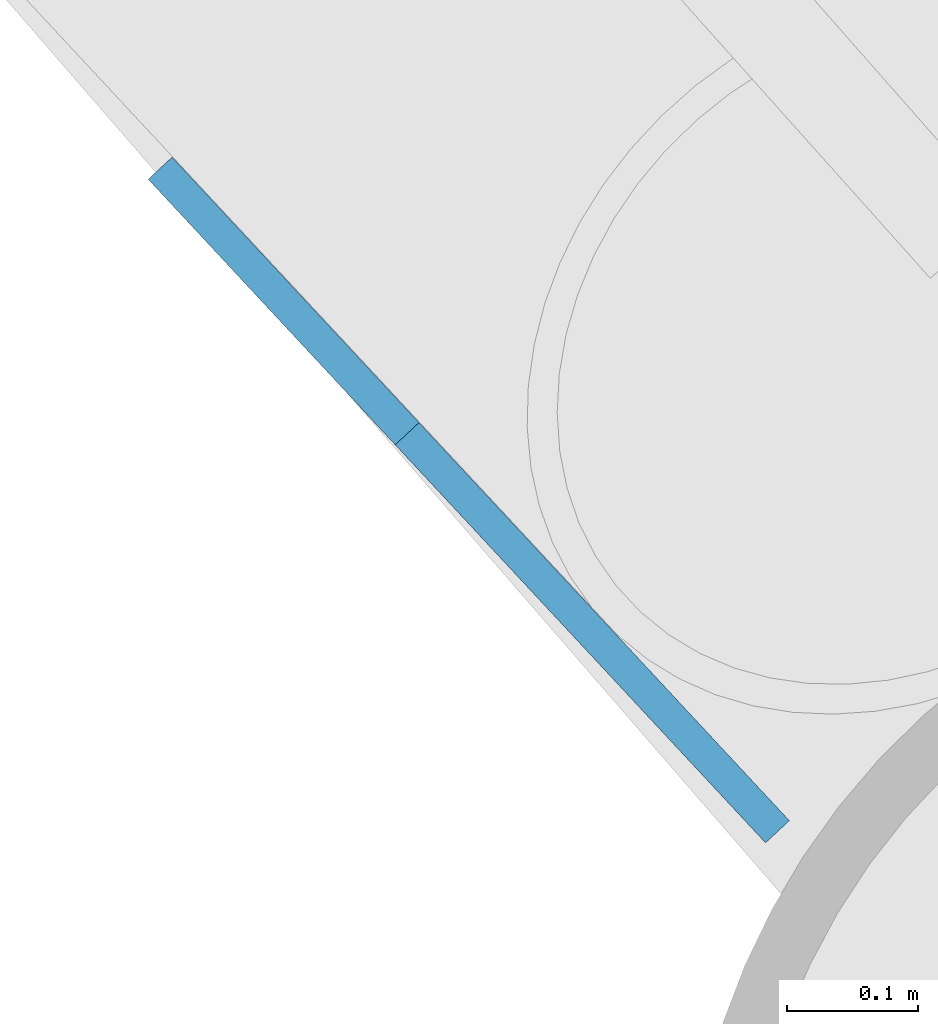
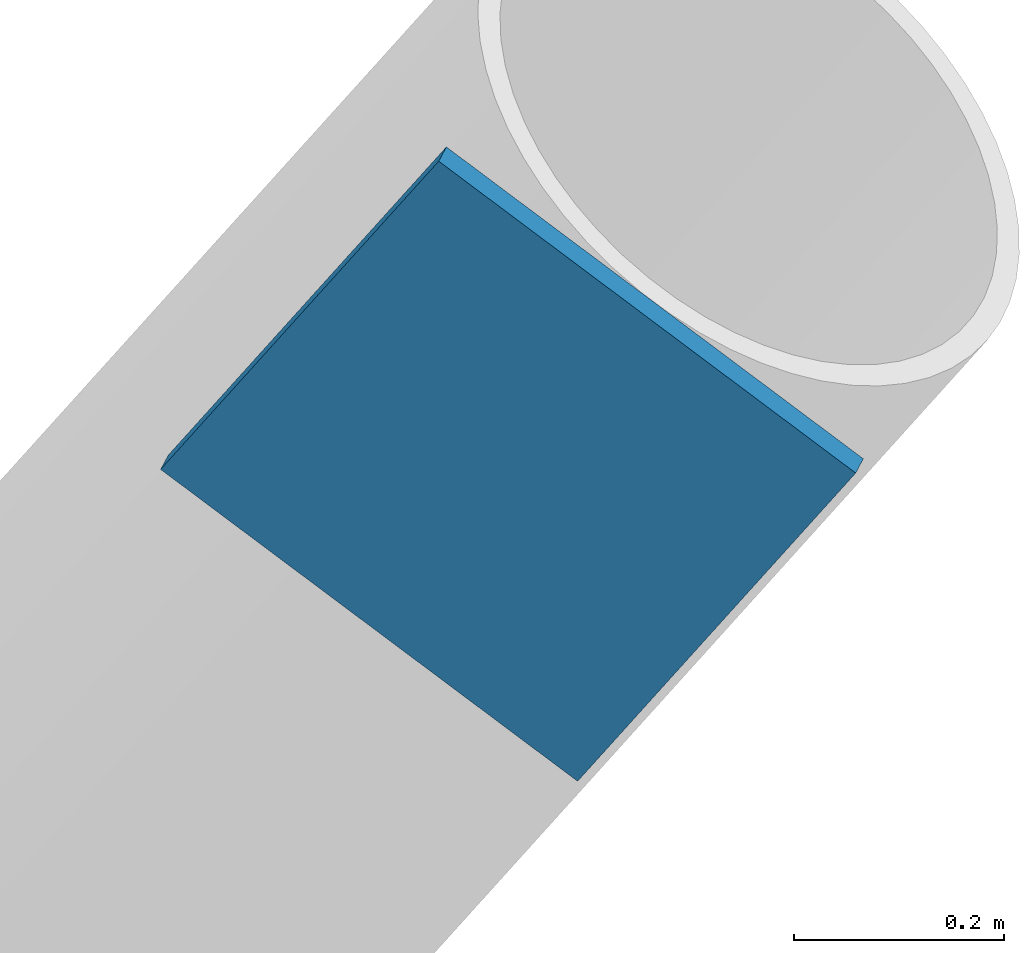
# One storey, part 14 of 22: 1 discrete accessory.
"""IFC4 building model written with IfcOpenShell, lengths in metres."""

import ifcopenshell
import ifcopenshell.guid

model = None  # the IFC model being written
_history = None  # IfcOwnerHistory: only IFC2X3 demands one
_inside = {}  # id of a spatial element -> (the spatial element, [elements in it])
_under = {}  # id of a project, library or spatial element -> (it, [spatial elements below it])
_declared = {}  # id of a project -> (the project, [libraries it declares])
_typed = {}  # id of a type object -> (the type object, [elements of that type])
_made_of = {}  # id of a material, layer set ... -> (it, [elements and type objects made of it])


def new_model(schema):
    """Start an empty IFC model of exactly this schema.

    Asked for "IFC4X3", IfcOpenShell would pick the latest addendum, in which some entities
    have other attributes; the version numbers below select the first issue.
    IFC2X3 requires an IfcOwnerHistory on every rooted entity: one is made here for all.
    """
    global model, _history
    if schema == "IFC4X3":
        model = ifcopenshell.file(schema_version=(4, 3, 0, 0))
    else:
        model = ifcopenshell.file(schema=schema)
    _inside.clear()
    _under.clear()
    _declared.clear()
    _typed.clear()
    _made_of.clear()
    _history = None
    if model.schema == "IFC2X3":
        org = make("IfcOrganization", Name="unknown")
        user = make(
            "IfcPersonAndOrganization",
            ThePerson=make("IfcPerson", FamilyName="unknown"),
            TheOrganization=org,
        )
        app = make(
            "IfcApplication",
            ApplicationDeveloper=org,
            Version="unknown",
            ApplicationFullName="unknown",
            ApplicationIdentifier="unknown",
        )
        _history = make(
            "IfcOwnerHistory",
            OwningUser=user,
            OwningApplication=app,
            ChangeAction="ADDED",
            CreationDate=0,
        )
    return model


def make(cls, **values):
    """One entity of the class cls with the attributes given. An attribute that is None is left unset."""
    return model.create_entity(
        cls, **{name: value for name, value in values.items() if value is not None}
    )


def rooted(cls, **values):
    """An entity with a GlobalId (a new one), such as an element, a storey or a relation."""
    return make(cls, GlobalId=ifcopenshell.guid.new(), OwnerHistory=_history, **values)


def si_unit(unit_type, name, prefix=None):
    """IfcSIUnit, for example si_unit("LENGTHUNIT", "METRE", prefix="MILLI")."""
    return make("IfcSIUnit", UnitType=unit_type, Prefix=prefix, Name=name)


def assignment(units):
    """IfcUnitAssignment: the units of a project."""
    return None if units is None else make("IfcUnitAssignment", Units=units)


def point(xyz):
    """IfcCartesianPoint."""
    return None if xyz is None else make("IfcCartesianPoint", Coordinates=xyz)


def direction(xyz):
    """IfcDirection."""
    return None if xyz is None else make("IfcDirection", DirectionRatios=xyz)


def frame(location, z_axis=None, x_axis=None):
    """IfcAxis2Placement3D, a coordinate frame: its origin and axes. An axis left out is left unset."""
    return make(
        "IfcAxis2Placement3D",
        Location=point(location),
        Axis=direction(z_axis),
        RefDirection=direction(x_axis),
    )


def frame_2d(location, x_axis=None):
    """IfcAxis2Placement2D, a coordinate frame in the plane: its origin and x axis."""
    return make(
        "IfcAxis2Placement2D", Location=point(location), RefDirection=direction(x_axis)
    )


def origin():
    """The frame at (0, 0, 0) with its axes left unset."""
    return frame((0.0, 0.0, 0.0))


def origin_2d():
    """The frame at (0, 0) in the plane with its x axis left unset."""
    return frame_2d((0.0, 0.0))


def place(relative_to, where):
    """IfcLocalPlacement: puts the frame where relative to a parent placement (None: the world)."""
    return make(
        "IfcLocalPlacement", PlacementRelTo=relative_to, RelativePlacement=where
    )


def context(
    kind, dimensions, precision=None, world=None, true_north=None, identifier=None
):
    """IfcGeometricRepresentationContext, for example the 3D "Model" context."""
    return make(
        "IfcGeometricRepresentationContext",
        ContextIdentifier=identifier,
        ContextType=kind,
        CoordinateSpaceDimension=dimensions,
        Precision=precision,
        WorldCoordinateSystem=world,
        TrueNorth=true_north,
    )


def subcontext(parent, identifier, kind, view, scale=None):
    """IfcGeometricRepresentationSubContext, for example "Body" below "Model"."""
    return make(
        "IfcGeometricRepresentationSubContext",
        ContextIdentifier=identifier,
        ContextType=kind,
        ParentContext=parent,
        TargetScale=scale,
        TargetView=view,
    )


def project(units=None, contexts=None):
    """IfcProject with its units and contexts."""
    return rooted(
        "IfcProject",
        Name="project",
        RepresentationContexts=contexts,
        UnitsInContext=assignment(units),
    )


def spatial(cls, under=None, at=None, **own):
    """A site, building, storey or space (cls), placed at a placement, below another one or the project."""
    s = rooted(cls, ObjectPlacement=at, **own)
    if under is not None:
        _under.setdefault(under.id(), (under, []))[1].append(s)
    return s


def profile(cls, at=None, kind="AREA", **sizes):
    """A parametric profile (cls). Its sizes go by their IFC names, for example OverallWidth=200.0."""
    return make(cls, ProfileType=kind, Position=at, **sizes)


def rectangle(**sizes):
    """IfcRectangleProfileDef."""
    return profile("IfcRectangleProfileDef", **sizes)


def extrude(swept, where, along, depth):
    """IfcExtrudedAreaSolid: the profile swept, set in the frame where, extruded along a direction by depth."""
    return make(
        "IfcExtrudedAreaSolid",
        SweptArea=swept,
        Position=where,
        ExtrudedDirection=direction(along),
        Depth=depth,
    )


def shape(context_of_items, identifier, shape_type, items):
    """IfcShapeRepresentation: the items that make up one representation, for example the "Body"."""
    return make(
        "IfcShapeRepresentation",
        ContextOfItems=context_of_items,
        RepresentationIdentifier=identifier,
        RepresentationType=shape_type,
        Items=items,
    )


def material(Name=None, Category=None):
    """IfcMaterial."""
    return make("IfcMaterial", Name=Name, Category=Category)


def material_profile(
    of_material, cross_section, Name=None, Category=None, Priority=None
):
    """IfcMaterialProfile: a cross section and its material."""
    return make(
        "IfcMaterialProfile",
        Name=Name,
        Material=of_material,
        Profile=cross_section,
        Priority=Priority,
        Category=Category,
    )


def profile_set(profiles, Name=None, composite=None):
    """IfcMaterialProfileSet."""
    return make(
        "IfcMaterialProfileSet",
        Name=Name,
        MaterialProfiles=profiles,
        CompositeProfile=composite,
    )


def made_of(thing, what):
    """Note that an element or type object is made of a material, layer set ...; save() writes the relation."""
    if what is not None:
        _made_of.setdefault(what.id(), (what, []))[1].append(thing)
    return thing


def type_object(cls, material=None, **own):
    """A type object (cls), such as IfcWallType, which elements share."""
    return made_of(rooted(cls, **own), material)


def element(
    cls,
    number,
    at=None,
    inside=None,
    cuts=None,
    type_object=None,
    material=None,
    context=None,
    identifier="Body",
    shape_type=None,
    held_by="IfcProductDefinitionShape",
    body=None,
    shapes=None,
    **own,
):
    """One element of the class cls, such as IfcWall. Its Tag is "e" and its number.

    at: its placement. inside: the storey or other place that contains it. cuts: it is an
    opening in that element (IfcRelVoidsElement). A single representation is given by context,
    identifier, shape_type and body (its items); several are given by shapes. held_by: the class
    of the entity that holds the representations. save() writes the other relations.
    """
    e = rooted(cls, Tag="e%d" % number, ObjectPlacement=at, **own)
    if body is not None:
        shapes = [shape(context, identifier, shape_type, body)]
    if shapes is not None:
        e.Representation = make(held_by, Representations=shapes)
    if inside is not None:
        _inside.setdefault(inside.id(), (inside, []))[1].append(e)
    if cuts is not None:
        rooted(
            "IfcRelVoidsElement", RelatingBuildingElement=cuts, RelatedOpeningElement=e
        )
    if type_object is not None:
        _typed.setdefault(type_object.id(), (type_object, []))[1].append(e)
    return made_of(e, material)


def aggregate(whole, parts):
    """IfcRelAggregates: a whole, such as a stair, and the parts it consists of."""
    return rooted("IfcRelAggregates", RelatingObject=whole, RelatedObjects=parts)


def save(model, path):
    """Write the relations noted so far, then the file.

    IfcRelAggregates (storeys below a building ...), IfcRelContainedInSpatialStructure (elements
    in a storey), IfcRelDefinesByType, IfcRelAssociatesMaterial and IfcRelDeclares: one each for
    every whole, place, type object, material and project.
    """
    for whole, parts in _under.values():
        aggregate(whole, parts)
    for where, things in _inside.values():
        rooted(
            "IfcRelContainedInSpatialStructure",
            RelatedElements=things,
            RelatingStructure=where,
        )
    for kind, things in _typed.values():
        rooted("IfcRelDefinesByType", RelatedObjects=things, RelatingType=kind)
    for what, things in _made_of.values():
        rooted("IfcRelAssociatesMaterial", RelatedObjects=things, RelatingMaterial=what)
    for by, libraries in _declared.values():
        rooted("IfcRelDeclares", RelatingContext=by, RelatedDefinitions=libraries)
    model.write(path)


model = new_model("IFC4")

# Units and contexts
model_context = context("Model", 3, precision=1e-05, world=origin(), true_north=direction((0.0, 1.0)))
body_context = subcontext(model_context, "Body", "Model", "MODEL_VIEW")
ifc_project = project(units=[si_unit("LENGTHUNIT", "METRE"), si_unit("AREAUNIT", "SQUARE_METRE"), si_unit("VOLUMEUNIT", "CUBIC_METRE"), si_unit("PLANEANGLEUNIT", "RADIAN"), si_unit("MASSUNIT", "GRAM", prefix="KILO")], contexts=[model_context])

# Site, building, storey
site_placement = place(None, origin())
site = spatial("IfcSite", under=ifc_project, at=site_placement, CompositionType="ELEMENT")
building_placement = place(site_placement, origin())
building = spatial("IfcBuilding", under=site, at=building_placement, Name="Tarsis Ring Headquarters", CompositionType="ELEMENT")
storey_placement = place(building_placement, frame((0.0, 0.0, 186.60009765625)))
storey = spatial("IfcBuildingStorey", under=building, at=storey_placement, Name="L43", CompositionType="ELEMENT", Elevation=186.60009765625)

# Discrete accessory
ifc_material = material(Name="Structural steel S355", Category="steel")
ifc_material_profile = material_profile(ifc_material, rectangle(XDim=0.02490234375, YDim=0.5, at=origin_2d()), Name="PL 25x500")
ifc_profile_set = profile_set([ifc_material_profile], Name="Structural steel S355")
discrete_accessory_type = type_object("IfcDiscreteAccessoryType", Name="Gusset plate Exo brace 25", PredefinedType="BRACKET", material=ifc_profile_set)
discrete_accessory_placement = place(storey_placement, frame((24.77099609375, 14.57080078125, 7.7998046875), z_axis=(-0.378055672848, 0.406385426111, -0.83182016907), x_axis=(-0.732166325944, -0.681125884953, 0.0)))
element("IfcDiscreteAccessory", 1, at=discrete_accessory_placement, inside=storey, type_object=discrete_accessory_type, Name="Gusset plate GP5", PredefinedType="BRACKET", context=body_context, shape_type="SweptSolid", body=[
    extrude(rectangle(XDim=0.02490234375, YDim=0.5, at=origin_2d()), origin(), (0.0, 0.0, 1.0), 0.499755859375),
])

save(model, "model.ifc")
